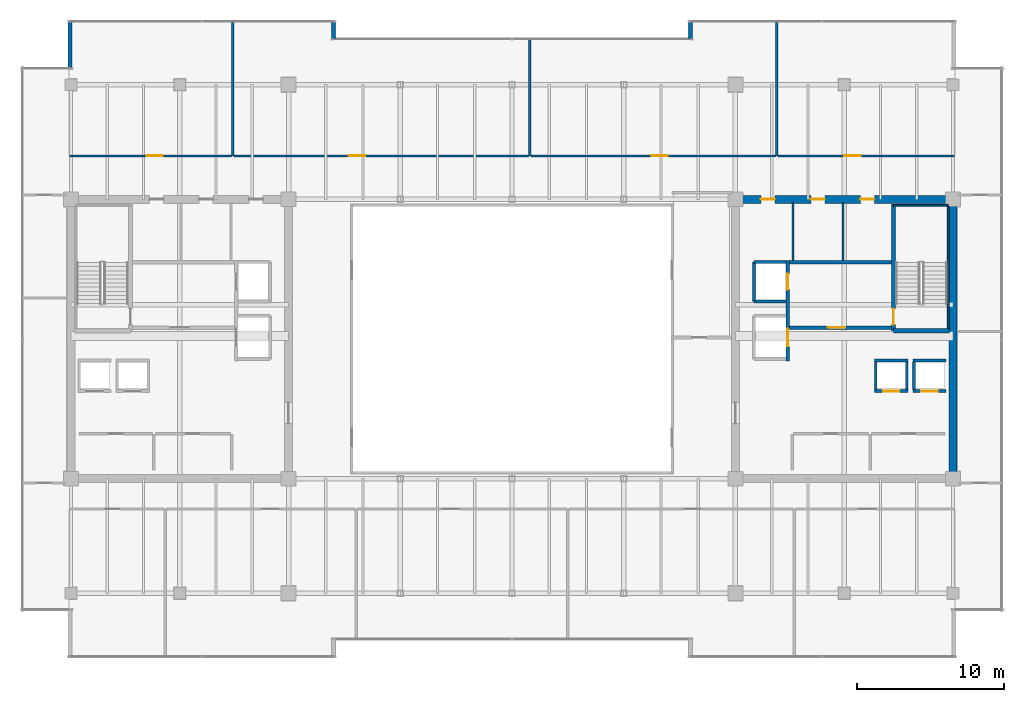
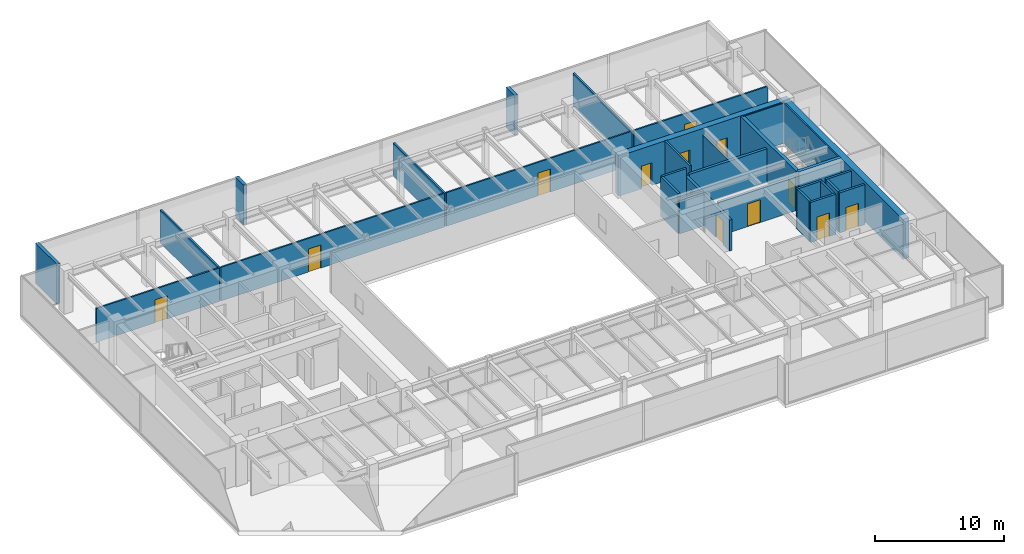
# One storey, part 30 of 35: 31 walls, 13 doors, 13 openings.
"""IFC4 building model written with IfcOpenShell, lengths in metres."""

from ifc_helpers import new_model, si_unit, direction, frame, frame_2d, origin, place, context, subcontext, project, spatial, rectangle, extrude, source, transform, mapped, material, layer, layer_set, type_object, type_shapes, element, fill, save


model = new_model("IFC4")

# Units and contexts
model_context = context("Model", 3, precision=1e-05, world=origin(), true_north=direction((0.0, 1.0)))
body_context = subcontext(model_context, "Body", "Model", "MODEL_VIEW")
ifc_project = project(units=[si_unit("LENGTHUNIT", "METRE"), si_unit("AREAUNIT", "SQUARE_METRE"), si_unit("VOLUMEUNIT", "CUBIC_METRE"), si_unit("PLANEANGLEUNIT", "RADIAN"), si_unit("MASSUNIT", "GRAM", prefix="KILO")], contexts=[model_context])

# Site, building, storey
site_placement = place(None, origin())
site = spatial("IfcSite", under=ifc_project, at=site_placement, CompositionType="ELEMENT")
building_placement = place(site_placement, origin())
building = spatial("IfcBuilding", under=site, at=building_placement, Name="Haelvirn Gate Laboratories", CompositionType="ELEMENT")
storey_placement = place(building_placement, frame((0.0, 0.0, 221.89990234375)))
storey = spatial("IfcBuildingStorey", under=building, at=storey_placement, Name="L53", CompositionType="ELEMENT", Elevation=221.89990234375)

# Walls
ifc_material_1 = material(Name="Thermally-broken bronze aluminium rainscreen & mineral wool", Category="aluminium")
ifc_layer_1 = layer(ifc_material_1, 0.280029296875, Name="EW-TERR-280")
ifc_layer_set_1 = layer_set([ifc_layer_1], Name="Thermally-broken bronze aluminium rainscreen & mineral wool")
wall_type_1 = type_object("IfcWallType", Name="EW-TERR-280", PredefinedType="STANDARD", material=ifc_layer_set_1)
for number, where, z_axis, x_axis, name in (
    (1, (49.5400390625, 46.0, 0.0), (0.0, 0.0, 1.0), (0.0, -1.0, 0.0), "L53 Atrium Recess Bronze Return Wall 11"),
    (2, (25.260009765625, 44.70703125, 0.0), (0.0, 0.0, 1.0), (0.0, 1.0, 0.0), "L53 Atrium Recess Bronze Return Wall 13"),
):
    element("IfcWall", number, at=place(storey_placement, frame(where, z_axis=z_axis, x_axis=x_axis)), inside=storey, type_object=wall_type_1, Name=name, PredefinedType="STANDARD", context=body_context, shape_type="SweptSolid", body=[
        extrude(rectangle(XDim=1.29296875, YDim=0.280029296875, at=frame_2d((0.646484375, 0.0))), origin(), (0.0, 0.0, 1.0), 3.800048828125),
    ])
wall_1_placement = place(storey_placement, frame((7.340087890625, 46.0, 0.0), z_axis=(0.0, 0.0, 1.0), x_axis=(0.0, -1.0, 0.0)))
element("IfcWall", 3, at=wall_1_placement, inside=storey, type_object=wall_type_1, Name="L53 Atrium Recess Bronze Return Wall 15", PredefinedType="STANDARD", context=body_context, shape_type="SweptSolid", body=[
    extrude(rectangle(XDim=3.2880859375, YDim=0.280029296875, at=frame_2d((1.64404296875, 0.0))), origin(), (0.0, 0.0, 1.0), 3.800048828125),
])
ifc_material_2 = material(Name="Double-layer acoustic gypsum laboratory partition", Category="gypsum")
ifc_layer_2 = layer(ifc_material_2, 0.159912109375, Name="IW-ACOUST-160")
ifc_layer_set_2 = layer_set([ifc_layer_2], Name="Double-layer acoustic gypsum laboratory partition")
wall_type_2 = type_object("IfcWallType", Name="IW-ACOUST-160", PredefinedType="PARTITIONING", material=ifc_layer_set_2)
wall_2_placement = place(storey_placement, frame((18.39990234375, 36.760009765625, 0.0), z_axis=(0.0, 0.0, 1.0), x_axis=(0.0, 1.0, 0.0)))
element("IfcWall", 4, at=wall_2_placement, inside=storey, type_object=wall_type_2, Name="L53 Interior Wall IW-L53-NDIV-01", PredefinedType="PARTITIONING", context=body_context, shape_type="SweptSolid", body=[
    extrude(rectangle(XDim=9.1298828125, YDim=0.159912109375, at=frame_2d((4.56494140625, 0.0))), origin(), (0.0, 0.0, 1.0), 3.135009765625),
])
wall_3_placement = place(storey_placement, frame((38.60009765625, 36.760009765625, 0.0), z_axis=(0.0, 0.0, 1.0), x_axis=(0.0, 1.0, 0.0)))
element("IfcWall", 5, at=wall_3_placement, inside=storey, type_object=wall_type_2, Name="L53 Interior Wall IW-L53-NDIV-02", PredefinedType="PARTITIONING", context=body_context, shape_type="SweptSolid", body=[
    extrude(rectangle(XDim=7.929931640625, YDim=0.159912109375, at=frame_2d((3.96484375, 0.0))), origin(), (0.0, 0.0, 1.0), 3.135009765625),
])
wall_4_placement = place(storey_placement, frame((55.39990234375, 36.760009765625, 0.0), z_axis=(0.0, 0.0, 1.0), x_axis=(0.0, 1.0, 0.0)))
element("IfcWall", 6, at=wall_4_placement, inside=storey, type_object=wall_type_2, Name="L53 Interior Wall IW-L53-NDIV-03", PredefinedType="PARTITIONING", context=body_context, shape_type="SweptSolid", body=[
    extrude(rectangle(XDim=9.1298828125, YDim=0.159912109375, at=frame_2d((4.56494140625, 0.0))), origin(), (0.0, 0.0, 1.0), 3.135009765625),
])

# Wall, opening, door
ifc_material_3 = material(Name="Acoustic mineral-wool gypsum board partition", Category="gypsum")
ifc_layer_3 = layer(ifc_material_3, 0.139892578125, Name="IW-PART-140")
ifc_layer_set_3 = layer_set([ifc_layer_3], Name="Acoustic mineral-wool gypsum board partition")
wall_type_3 = type_object("IfcWallType", Name="IW-PART-140", PredefinedType="PARTITIONING", material=ifc_layer_set_3)
wall_5_placement = place(storey_placement, frame((7.31005859375, 36.760009765625, 0.0), z_axis=(0.0, 0.0, 1.0), x_axis=(1.0, 0.0, 0.0)))
wall_5 = element("IfcWall", 7, at=wall_5_placement, inside=storey, type_object=wall_type_3, Name="L53 Interior Wall IW-L53-NCORR-01", PredefinedType="PARTITIONING", context=body_context, shape_type="SweptSolid", body=[
    extrude(rectangle(XDim=11.010009765625, YDim=0.139892578125, at=frame_2d((5.5048828125, 0.0))), origin(), (0.0, 0.0, 1.0), 3.197021484375),
])
opening_1_placement = place(wall_5_placement, frame((5.231201171875, 0.0, 0.0)))
opening_1 = element("IfcOpeningElement", 8, at=opening_1_placement, cuts=wall_5, Name="Opening D1", PredefinedType="OPENING", context=body_context, shape_type="SweptSolid", body=[
    extrude(rectangle(XDim=1.10009765625, YDim=2.179931640625, at=frame_2d((0.550048828125, 1.08984375))), frame((0.0, 0.080078125, 0.0), z_axis=(0.0, -1.0, 0.0), x_axis=(1.0, 0.0, 0.0)), (0.0, 0.0, 1.0), 0.159912109375),
])
ifc_material_4 = material(Name="Vision-panel acoustic solid-core timber lab door", Category="wood")
door_type_1 = type_object("IfcDoorType", Name="DR-LAB-1100", OperationType="NOTDEFINED", PredefinedType="DOOR", material=ifc_material_4)
shared_shape_1 = source(origin(), body_context, "Body", "SweptSolid", [
    extrude(rectangle(XDim=1.10009765625, YDim=2.179931640625, at=frame_2d((0.550048828125, 1.08984375))), frame((0.0, 0.02490234375, 0.0), z_axis=(0.0, -1.0, 0.0), x_axis=(1.0, 0.0, 0.0)), (0.0, 0.0, 1.0), 0.050048828125),
])
type_shapes(door_type_1, [shared_shape_1])
door_1_placement = place(opening_1_placement, origin())
door_1 = element("IfcDoor", 9, at=door_1_placement, inside=storey, type_object=door_type_1, Name="L53 Colloquium Conference Room Door N1", OperationType="SINGLE_SWING_LEFT", OverallHeight=2.179931640625, OverallWidth=1.10009765625, PredefinedType="DOOR", context=body_context, shape_type="MappedRepresentation", body=[
    mapped(shared_shape_1, transform((0.0, 0.0, 0.0), scale=1.0)),
])
fill(opening_1, door_1)

wall_6_placement = place(storey_placement, frame((18.47998046875, 36.760009765625, 0.0), z_axis=(0.0, 0.0, 1.0), x_axis=(1.0, 0.0, 0.0)))
wall_6 = element("IfcWall", 10, at=wall_6_placement, inside=storey, type_object=wall_type_3, Name="L53 Interior Wall IW-L53-NCORR-02", PredefinedType="PARTITIONING", context=body_context, shape_type="SweptSolid", body=[
    extrude(rectangle(XDim=20.0400390625, YDim=0.139892578125, at=frame_2d((10.02001953125, 0.0))), origin(), (0.0, 0.0, 1.0), 3.197021484375),
])
opening_2_placement = place(wall_6_placement, frame((7.828369140625, 0.0, 0.0)))
opening_2 = element("IfcOpeningElement", 11, at=opening_2_placement, cuts=wall_6, Name="Opening D1", PredefinedType="OPENING", context=body_context, shape_type="SweptSolid", body=[
    extrude(rectangle(XDim=1.10009765625, YDim=2.179931640625, at=frame_2d((0.550048828125, 1.08984375))), frame((0.0, 0.080078125, 0.0), z_axis=(0.0, -1.0, 0.0), x_axis=(1.0, 0.0, 0.0)), (0.0, 0.0, 1.0), 0.159912109375),
])
door_2_placement = place(opening_2_placement, origin())
door_2 = element("IfcDoor", 12, at=door_2_placement, inside=storey, type_object=door_type_1, Name="L53 Cryo-EM Imaging Suite Door N2", OperationType="SINGLE_SWING_RIGHT", OverallHeight=2.179931640625, OverallWidth=1.10009765625, PredefinedType="DOOR", context=body_context, shape_type="MappedRepresentation", body=[
    mapped(shared_shape_1, transform((0.0, 0.0, 0.0), scale=1.0)),
])
fill(opening_2, door_2)

wall_7_placement = place(storey_placement, frame((38.679931640625, 36.760009765625, 0.0), z_axis=(0.0, 0.0, 1.0), x_axis=(1.0, 0.0, 0.0)))
wall_7 = element("IfcWall", 13, at=wall_7_placement, inside=storey, type_object=wall_type_3, Name="L53 Interior Wall IW-L53-NCORR-03", PredefinedType="PARTITIONING", context=body_context, shape_type="SweptSolid", body=[
    extrude(rectangle(XDim=16.64013671875, YDim=0.139892578125, at=frame_2d((8.320068359375, 0.0))), origin(), (0.0, 0.0, 1.0), 3.197021484375),
])
opening_3_placement = place(wall_7_placement, frame((8.215087890625, 0.0, 0.0)))
opening_3 = element("IfcOpeningElement", 14, at=opening_3_placement, cuts=wall_7, Name="Opening D1", PredefinedType="OPENING", context=body_context, shape_type="SweptSolid", body=[
    extrude(rectangle(XDim=1.10009765625, YDim=2.179931640625, at=frame_2d((0.550048828125, 1.08984375))), frame((0.0, 0.080078125, 0.0), z_axis=(0.0, -1.0, 0.0), x_axis=(1.0, 0.0, 0.0)), (0.0, 0.0, 1.0), 0.159912109375),
])
door_3_placement = place(opening_3_placement, origin())
door_3 = element("IfcDoor", 15, at=door_3_placement, inside=storey, type_object=door_type_1, Name="L53 Analytical Instrument Suite Door N3", OperationType="SINGLE_SWING_LEFT", OverallHeight=2.179931640625, OverallWidth=1.10009765625, PredefinedType="DOOR", context=body_context, shape_type="MappedRepresentation", body=[
    mapped(shared_shape_1, transform((0.0, 0.0, 0.0), scale=1.0)),
])
fill(opening_3, door_3)

wall_8_placement = place(storey_placement, frame((55.47998046875, 36.760009765625, 0.0), z_axis=(0.0, 0.0, 1.0), x_axis=(1.0, 0.0, 0.0)))
wall_8 = element("IfcWall", 16, at=wall_8_placement, inside=storey, type_object=wall_type_3, Name="L53 Interior Wall IW-L53-NCORR-04", PredefinedType="PARTITIONING", context=body_context, shape_type="SweptSolid", body=[
    extrude(rectangle(XDim=12.010009765625, YDim=0.139892578125, at=frame_2d((6.0048828125, 0.0))), origin(), (0.0, 0.0, 1.0), 3.197021484375),
])
opening_4_placement = place(wall_8_placement, frame((4.5361328125, 0.0, 0.0)))
opening_4 = element("IfcOpeningElement", 17, at=opening_4_placement, cuts=wall_8, Name="Opening D1", PredefinedType="OPENING", context=body_context, shape_type="SweptSolid", body=[
    extrude(rectangle(XDim=1.10009765625, YDim=2.179931640625, at=frame_2d((0.550048828125, 1.08984375))), frame((0.0, 0.080078125, 0.0), z_axis=(0.0, -1.0, 0.0), x_axis=(1.0, 0.0, 0.0)), (0.0, 0.0, 1.0), 0.159912109375),
])
door_4_placement = place(opening_4_placement, origin())
door_4 = element("IfcDoor", 18, at=door_4_placement, inside=storey, type_object=door_type_1, Name="L53 Cleanroom Metrology Suite Door N4", OperationType="SINGLE_SWING_RIGHT", OverallHeight=2.179931640625, OverallWidth=1.10009765625, PredefinedType="DOOR", context=body_context, shape_type="MappedRepresentation", body=[
    mapped(shared_shape_1, transform((0.0, 0.0, 0.0), scale=1.0)),
])
fill(opening_4, door_4)

# Walls
ifc_material_5 = material(Name="Cement-board restroom plumbing chase wall", Category="gypsum")
ifc_layer_4 = layer(ifc_material_5, 0.155029296875, Name="IW-PLUMB-160")
ifc_layer_set_4 = layer_set([ifc_layer_4], Name="Cement-board restroom plumbing chase wall")
wall_type_4 = type_object("IfcWallType", Name="IW-PLUMB-160", PredefinedType="PLUMBINGWALL", material=ifc_layer_set_4)
wall_9_placement = place(storey_placement, frame((59.909912109375, 29.64990234375, 0.0), z_axis=(0.0, 0.0, 1.0), x_axis=(0.0, 1.0, 0.0)))
element("IfcWall", 19, at=wall_9_placement, inside=storey, type_object=wall_type_4, Name="L53 Interior Wall IW-L53-E-CDIV-1", PredefinedType="PLUMBINGWALL", context=body_context, shape_type="SweptSolid", body=[
    extrude(rectangle(XDim=3.93017578125, YDim=0.155029296875, at=frame_2d((1.965087890625, 0.0))), origin(), (0.0, 0.0, 1.0), 3.197021484375),
])
wall_10_placement = place(storey_placement, frame((56.510009765625, 29.64990234375, 0.0), z_axis=(0.0, 0.0, 1.0), x_axis=(0.0, 1.0, 0.0)))
element("IfcWall", 20, at=wall_10_placement, inside=storey, type_object=wall_type_4, Name="L53 Interior Wall IW-L53-E-CDIV-2", PredefinedType="PLUMBINGWALL", context=body_context, shape_type="SweptSolid", body=[
    extrude(rectangle(XDim=3.93017578125, YDim=0.155029296875, at=frame_2d((1.965087890625, 0.0))), origin(), (0.0, 0.0, 1.0), 3.800048828125),
])
ifc_material_6 = material(Name="Concrete C40/50", Category="concrete")
ifc_layer_5 = layer(ifc_material_6, 0.179931640625, Name="IW-SHAFT-180")
ifc_layer_set_5 = layer_set([ifc_layer_5], Name="Concrete C40/50")
wall_type_5 = type_object("IfcWallType", Name="IW-SHAFT-180", PredefinedType="SOLIDWALL", material=ifc_layer_set_5)
for number, where, z_axis, x_axis, name in (
    (21, (64.75, 20.85009765625, 0.0), (0.0, 0.0, 1.0), (0.0, 1.0, 0.0), "L53 Interior Wall IW-L53-PL11-SD"),
    (22, (62.14990234375, 20.85009765625, 0.0), (0.0, 0.0, 1.0), (0.0, 1.0, 0.0), "L53 Interior Wall IW-L53-PL12-SD"),
    (23, (64.25, 20.85009765625, 0.0), (0.0, 0.0, 1.0), (0.0, 1.0, 0.0), "L53 Interior Wall IW-L53-PL12-SDE"),
):
    element("IfcWall", number, at=place(storey_placement, frame(where, z_axis=z_axis, x_axis=x_axis)), inside=storey, type_object=wall_type_5, Name=name, PredefinedType="SOLIDWALL", context=body_context, shape_type="SweptSolid", body=[
        extrude(rectangle(XDim=1.89990234375, YDim=0.179931640625, at=frame_2d((0.949951171875, 0.0))), origin(), (0.0, 0.0, 1.0), 3.800048828125),
    ])

# Wall, opening, door
ifc_layer_6 = layer(ifc_material_6, 0.199951171875, Name="IW-SHAFT-200")
ifc_layer_set_6 = layer_set([ifc_layer_6], Name="Concrete C40/50")
wall_type_6 = type_object("IfcWallType", Name="IW-SHAFT-200", PredefinedType="SOLIDWALL", material=ifc_layer_set_6)
wall_11_placement = place(storey_placement, frame((64.669921875, 20.75, 0.0), z_axis=(0.0, 0.0, 1.0), x_axis=(1.0, 0.0, 0.0)))
wall_11 = element("IfcWall", 24, at=wall_11_placement, inside=storey, type_object=wall_type_6, Name="L53 Interior Wall IW-L53-PL11-FR", PredefinedType="SOLIDWALL", context=body_context, shape_type="SweptSolid", body=[
    extrude(rectangle(XDim=2.260009765625, YDim=0.199951171875, at=frame_2d((1.1298828125, 0.0))), origin(), (0.0, 0.0, 1.0), 3.800048828125),
])
opening_5_placement = place(wall_11_placement, frame((0.580078125, 0.0, 0.0)))
opening_5 = element("IfcOpeningElement", 25, at=opening_5_placement, cuts=wall_11, Name="Opening LD2", PredefinedType="OPENING", context=body_context, shape_type="SweptSolid", body=[
    extrude(rectangle(XDim=1.10009765625, YDim=2.219970703125, at=frame_2d((0.550048828125, 1.10986328125))), frame((0.0, 0.10986328125, 0.0), z_axis=(0.0, -1.0, 0.0), x_axis=(1.0, 0.0, 0.0)), (0.0, 0.0, 1.0), 0.219970703125),
])
ifc_material_7 = material(Name="Bronze stainless 316L sliding lift landing door")
door_type_2 = type_object("IfcDoorType", Name="DR-LD-1100", OperationType="NOTDEFINED", PredefinedType="USERDEFINED", material=ifc_material_7)
shared_shape_2 = source(origin(), body_context, "Body", "SweptSolid", [
    extrude(rectangle(XDim=1.10009765625, YDim=2.219970703125, at=frame_2d((0.550048828125, 1.10986328125))), frame((0.0, 0.02490234375, 0.0), z_axis=(0.0, -1.0, 0.0), x_axis=(1.0, 0.0, 0.0)), (0.0, 0.0, 1.0), 0.050048828125),
])
type_shapes(door_type_2, [shared_shape_2])
door_5_placement = place(opening_5_placement, origin())
door_5 = element("IfcDoor", 26, at=door_5_placement, inside=storey, type_object=door_type_2, Name="L53 Passenger Lift PL11 Landing Door", ObjectType="LANDING_DOOR", OperationType="SLIDING_TO_LEFT", OverallHeight=2.219970703125, OverallWidth=1.10009765625, PredefinedType="USERDEFINED", context=body_context, shape_type="MappedRepresentation", body=[
    mapped(shared_shape_2, transform((0.0, 0.0, 0.0), scale=1.0)),
])
fill(opening_5, door_5)

# Wall
wall_12_placement = place(storey_placement, frame((64.669921875, 22.85009765625, 0.0), z_axis=(0.0, 0.0, 1.0), x_axis=(1.0, 0.0, 0.0)))
element("IfcWall", 27, at=wall_12_placement, inside=storey, type_object=wall_type_6, Name="L53 Interior Wall IW-L53-PL11-BK", PredefinedType="SOLIDWALL", context=body_context, shape_type="SweptSolid", body=[
    extrude(rectangle(XDim=2.260009765625, YDim=0.199951171875, at=frame_2d((1.1298828125, 0.0))), origin(), (0.0, 0.0, 1.0), 3.800048828125),
])

# Wall, opening, door
wall_13_placement = place(storey_placement, frame((62.070068359375, 20.75, 0.0), z_axis=(0.0, 0.0, 1.0), x_axis=(1.0, 0.0, 0.0)))
wall_13 = element("IfcWall", 28, at=wall_13_placement, inside=storey, type_object=wall_type_6, Name="L53 Interior Wall IW-L53-PL12-FR", PredefinedType="SOLIDWALL", context=body_context, shape_type="SweptSolid", body=[
    extrude(rectangle(XDim=2.260009765625, YDim=0.199951171875, at=frame_2d((1.1298828125, 0.0))), origin(), (0.0, 0.0, 1.0), 3.800048828125),
])
opening_6_placement = place(wall_13_placement, frame((0.580078125, 0.0, 0.0)))
opening_6 = element("IfcOpeningElement", 29, at=opening_6_placement, cuts=wall_13, Name="Opening LD2", PredefinedType="OPENING", context=body_context, shape_type="SweptSolid", body=[
    extrude(rectangle(XDim=1.10009765625, YDim=2.219970703125, at=frame_2d((0.550048828125, 1.10986328125))), frame((0.0, 0.10986328125, 0.0), z_axis=(0.0, -1.0, 0.0), x_axis=(1.0, 0.0, 0.0)), (0.0, 0.0, 1.0), 0.219970703125),
])
door_6_placement = place(opening_6_placement, origin())
door_6 = element("IfcDoor", 30, at=door_6_placement, inside=storey, type_object=door_type_2, Name="L53 Passenger Lift PL12 Landing Door", ObjectType="LANDING_DOOR", OperationType="SLIDING_TO_RIGHT", OverallHeight=2.219970703125, OverallWidth=1.10009765625, PredefinedType="USERDEFINED", context=body_context, shape_type="MappedRepresentation", body=[
    mapped(shared_shape_2, transform((0.0, 0.0, 0.0), scale=1.0)),
])
fill(opening_6, door_6)

# Walls
wall_14_placement = place(storey_placement, frame((62.070068359375, 22.85009765625, 0.0), z_axis=(0.0, 0.0, 1.0), x_axis=(1.0, 0.0, 0.0)))
element("IfcWall", 31, at=wall_14_placement, inside=storey, type_object=wall_type_6, Name="L53 Interior Wall IW-L53-PL12-BK", PredefinedType="SOLIDWALL", context=body_context, shape_type="SweptSolid", body=[
    extrude(rectangle(XDim=2.260009765625, YDim=0.199951171875, at=frame_2d((1.1298828125, 0.0))), origin(), (0.0, 0.0, 1.0), 3.800048828125),
])
wall_15_placement = place(storey_placement, frame((53.85009765625, 26.85009765625, 0.0), z_axis=(0.0, 0.0, 1.0), x_axis=(0.0, 1.0, 0.0)))
element("IfcWall", 32, at=wall_15_placement, inside=storey, type_object=wall_type_6, Name="L53 Interior Wall IW-L53-FL2-BK", PredefinedType="SOLIDWALL", context=body_context, shape_type="SweptSolid", body=[
    extrude(rectangle(XDim=2.699951171875, YDim=0.199951171875, at=frame_2d((1.35009765625, 0.0))), origin(), (0.0, 0.0, 1.0), 3.800048828125),
])
wall_16_placement = place(storey_placement, frame((53.85009765625, 29.550048828125, 0.0), z_axis=(0.0, 0.0, 1.0), x_axis=(1.0, 0.0, 0.0)))
element("IfcWall", 33, at=wall_16_placement, inside=storey, type_object=wall_type_6, Name="L53 Interior Wall IW-L53-FL2-N", PredefinedType="SOLIDWALL", context=body_context, shape_type="SweptSolid", body=[
    extrude(rectangle(XDim=2.18994140625, YDim=0.199951171875, at=frame_2d((1.094970703125, 0.0))), origin(), (0.0, 0.0, 1.0), 3.800048828125),
])
wall_17_placement = place(storey_placement, frame((53.85009765625, 26.85009765625, 0.0), z_axis=(0.0, 0.0, 1.0), x_axis=(1.0, 0.0, 0.0)))
element("IfcWall", 34, at=wall_17_placement, inside=storey, type_object=wall_type_6, Name="L53 Interior Wall IW-L53-FL2-S", PredefinedType="SOLIDWALL", context=body_context, shape_type="SweptSolid", body=[
    extrude(rectangle(XDim=2.18994140625, YDim=0.199951171875, at=frame_2d((1.094970703125, 0.0))), origin(), (0.0, 0.0, 1.0), 3.197021484375),
])

# Wall, opening, door
ifc_layer_7 = layer(ifc_material_6, 0.239990234375, Name="IW-SHAFT-240")
ifc_layer_set_7 = layer_set([ifc_layer_7], Name="Concrete C40/50")
wall_type_7 = type_object("IfcWallType", Name="IW-SHAFT-240", PredefinedType="SOLIDWALL", material=ifc_layer_set_7)
wall_18_placement = place(storey_placement, frame((56.280029296875, 25.080078125, 0.0), z_axis=(0.0, 0.0, 1.0), x_axis=(1.0, 0.0, 0.0)))
wall_18 = element("IfcWall", 35, at=wall_18_placement, inside=storey, type_object=wall_type_7, Name="L53 Interior Wall IW-L53-E-FF-S", PredefinedType="SOLIDWALL", context=body_context, shape_type="SweptSolid", body=[
    extrude(rectangle(XDim=6.919921875, YDim=0.239990234375, at=frame_2d((3.4599609375, 0.0))), origin(), (0.0, 0.0, 1.0), 3.197021484375),
])
opening_7_placement = place(wall_18_placement, frame((2.60009765625, 0.0, 0.0)))
opening_7 = element("IfcOpeningElement", 36, at=opening_7_placement, cuts=wall_18, Name="Opening FD2", PredefinedType="OPENING", context=body_context, shape_type="SweptSolid", body=[
    extrude(rectangle(XDim=1.199951171875, YDim=2.159912109375, at=frame_2d((0.60009765625, 1.080078125))), frame((0.0, 0.1298828125, 0.0), z_axis=(0.0, -1.0, 0.0), x_axis=(1.0, 0.0, 0.0)), (0.0, 0.0, 1.0), 0.260009765625),
])
ifc_material_8 = material(Name="Fire-rated steel SM355 compartment door", Category="steel")
door_type_3 = type_object("IfcDoorType", Name="DR-FD-1200", OperationType="NOTDEFINED", PredefinedType="DOOR", material=ifc_material_8)
shared_shape_3 = source(origin(), body_context, "Body", "SweptSolid", [
    extrude(rectangle(XDim=1.199951171875, YDim=2.159912109375, at=frame_2d((0.60009765625, 1.080078125))), frame((0.0, 0.02490234375, 0.0), z_axis=(0.0, -1.0, 0.0), x_axis=(1.0, 0.0, 0.0)), (0.0, 0.0, 1.0), 0.050048828125),
])
type_shapes(door_type_3, [shared_shape_3])
door_7_placement = place(opening_7_placement, origin())
door_7 = element("IfcDoor", 37, at=door_7_placement, inside=storey, type_object=door_type_3, Name="L53 East Firefighting Lobby Door", OperationType="SINGLE_SWING_LEFT", OverallHeight=2.159912109375, OverallWidth=1.199951171875, PredefinedType="DOOR", context=body_context, shape_type="MappedRepresentation", body=[
    mapped(shared_shape_3, transform((0.0, 0.0, 0.0), scale=1.0)),
])
fill(opening_7, door_7)

# Wall
wall_19_placement = place(storey_placement, frame((56.280029296875, 29.52001953125, 0.0), z_axis=(0.0, 0.0, 1.0), x_axis=(1.0, 0.0, 0.0)))
element("IfcWall", 38, at=wall_19_placement, inside=storey, type_object=wall_type_7, Name="L53 Interior Wall IW-L53-E-FF-N", PredefinedType="SOLIDWALL", context=body_context, shape_type="SweptSolid", body=[
    extrude(rectangle(XDim=6.919921875, YDim=0.239990234375, at=frame_2d((3.4599609375, 0.0))), origin(), (0.0, 0.0, 1.0), 3.197021484375),
])

# Wall, openings, doors
wall_20_placement = place(storey_placement, frame((56.159912109375, 22.800048828125, 0.0), z_axis=(0.0, 0.0, 1.0), x_axis=(0.0, 1.0, 0.0)))
wall_20 = element("IfcWall", 39, at=wall_20_placement, inside=storey, type_object=wall_type_7, Name="L53 Interior Wall IW-L53-E-FF-E", PredefinedType="SOLIDWALL", context=body_context, shape_type="SweptSolid", body=[
    extrude(rectangle(XDim=6.849853515625, YDim=0.239990234375, at=frame_2d((3.4248046875, 0.0))), origin(), (0.0, 0.0, 1.0), 2.93505859375),
])
opening_8_placement = place(wall_20_placement, frame((4.85009765625, 0.0, 0.0)))
opening_8 = element("IfcOpeningElement", 40, at=opening_8_placement, cuts=wall_20, Name="Opening LD2", PredefinedType="OPENING", context=body_context, shape_type="SweptSolid", body=[
    extrude(rectangle(XDim=1.10009765625, YDim=2.219970703125, at=frame_2d((0.550048828125, 1.10986328125))), frame((0.0, 0.1298828125, 0.0), z_axis=(0.0, -1.0, 0.0), x_axis=(1.0, 0.0, 0.0)), (0.0, 0.0, 1.0), 0.260009765625),
])
opening_9_placement = place(wall_20_placement, frame((1.0, 0.0, 0.0)))
opening_9 = element("IfcOpeningElement", 41, at=opening_9_placement, cuts=wall_20, Name="Opening LD1", PredefinedType="OPENING", context=body_context, shape_type="SweptSolid", body=[
    extrude(rectangle(XDim=1.199951171875, YDim=2.219970703125, at=frame_2d((0.60009765625, 1.10986328125))), frame((0.0, 0.1298828125, 0.0), z_axis=(0.0, -1.0, 0.0), x_axis=(1.0, 0.0, 0.0)), (0.0, 0.0, 1.0), 0.260009765625),
])
door_8_placement = place(opening_8_placement, origin())
door_8 = element("IfcDoor", 42, at=door_8_placement, inside=storey, type_object=door_type_2, Name="L53 Firefighting Lift FL2 Landing Door", ObjectType="LANDING_DOOR", OperationType="SLIDING_TO_RIGHT", OverallHeight=2.219970703125, OverallWidth=1.10009765625, PredefinedType="USERDEFINED", context=body_context, shape_type="MappedRepresentation", body=[
    mapped(shared_shape_2, transform((0.0, 0.0, 0.0), scale=1.0)),
])
fill(opening_8, door_8)
ifc_material_9 = material(Name="Stainless steel 316L sliding goods landing door", Category="steel")
door_type_4 = type_object("IfcDoorType", Name="DR-LD-1200", OperationType="NOTDEFINED", PredefinedType="USERDEFINED", material=ifc_material_9)
shared_shape_4 = source(origin(), body_context, "Body", "SweptSolid", [
    extrude(rectangle(XDim=1.199951171875, YDim=2.219970703125, at=frame_2d((0.60009765625, 1.10986328125))), frame((0.0, 0.02490234375, 0.0), z_axis=(0.0, -1.0, 0.0), x_axis=(1.0, 0.0, 0.0)), (0.0, 0.0, 1.0), 0.050048828125),
])
type_shapes(door_type_4, [shared_shape_4])
door_9_placement = place(opening_9_placement, origin())
door_9 = element("IfcDoor", 43, at=door_9_placement, inside=storey, type_object=door_type_4, Name="L53 Service Lift SL2 Landing Door", ObjectType="LANDING_DOOR", OperationType="SLIDING_TO_LEFT", OverallHeight=2.219970703125, OverallWidth=1.199951171875, PredefinedType="USERDEFINED", context=body_context, shape_type="MappedRepresentation", body=[
    mapped(shared_shape_4, transform((0.0, 0.0, 0.0), scale=1.0)),
])
fill(opening_9, door_9)

ifc_material_10 = material(Name="Concrete C50/60", Category="concrete")
ifc_layer_8 = layer(ifc_material_10, 0.550048828125, Name="SW-CORE-550")
ifc_layer_set_8 = layer_set([ifc_layer_8], Name="Concrete C50/60")
wall_type_8 = type_object("IfcWallType", Name="SW-CORE-550", PredefinedType="SHEAR", material=ifc_layer_set_8)
wall_21_placement = place(storey_placement, frame((52.324951171875, 33.800048828125, 0.0), z_axis=(0.0, 0.0, 1.0), x_axis=(1.0, 0.0, 0.0)))
wall_21 = element("IfcWall", 44, at=wall_21_placement, inside=storey, type_object=wall_type_8, Name="L53 E Core Shear Wall N", PredefinedType="SHEAR", context=body_context, shape_type="SweptSolid", body=[
    extrude(rectangle(XDim=15.35009765625, YDim=0.550048828125, at=frame_2d((7.675048828125, 0.0))), origin(), (0.0, 0.0, 1.0), 3.800048828125),
])
opening_10_placement = place(wall_21_placement, frame((8.77490234375, 0.0, 0.0)))
opening_10 = element("IfcOpeningElement", 45, at=opening_10_placement, cuts=wall_21, Name="Opening FD4", PredefinedType="OPENING", context=body_context, shape_type="SweptSolid", body=[
    extrude(rectangle(XDim=0.949951171875, YDim=2.14990234375, at=frame_2d((0.47509765625, 1.074951171875))), frame((0.0, 0.28515625, 0.0), z_axis=(0.0, -1.0, 0.0), x_axis=(1.0, 0.0, 0.0)), (0.0, 0.0, 1.0), 0.570068359375),
])
opening_11_placement = place(wall_21_placement, frame((5.409912109375, 0.0, 0.0)))
opening_11 = element("IfcOpeningElement", 46, at=opening_11_placement, cuts=wall_21, Name="Opening FD4", PredefinedType="OPENING", context=body_context, shape_type="SweptSolid", body=[
    extrude(rectangle(XDim=0.949951171875, YDim=2.14990234375, at=frame_2d((0.47509765625, 1.074951171875))), frame((0.0, 0.28515625, 0.0), z_axis=(0.0, -1.0, 0.0), x_axis=(1.0, 0.0, 0.0)), (0.0, 0.0, 1.0), 0.570068359375),
])
opening_12_placement = place(wall_21_placement, frame((2.010009765625, 0.0, 0.0)))
opening_12 = element("IfcOpeningElement", 47, at=opening_12_placement, cuts=wall_21, Name="Opening FD4", PredefinedType="OPENING", context=body_context, shape_type="SweptSolid", body=[
    extrude(rectangle(XDim=0.949951171875, YDim=2.14990234375, at=frame_2d((0.47509765625, 1.074951171875))), frame((0.0, 0.28515625, 0.0), z_axis=(0.0, -1.0, 0.0), x_axis=(1.0, 0.0, 0.0)), (0.0, 0.0, 1.0), 0.570068359375),
])
ifc_material_11 = material(Name="Fire-rated steel SM355 core service door", Category="steel")
door_type_5 = type_object("IfcDoorType", Name="DR-FD-950", OperationType="NOTDEFINED", PredefinedType="DOOR", material=ifc_material_11)
shared_shape_5 = source(origin(), body_context, "Body", "SweptSolid", [
    extrude(rectangle(XDim=0.949951171875, YDim=2.14990234375, at=frame_2d((0.47509765625, 1.074951171875))), frame((0.0, 0.02490234375, 0.0), z_axis=(0.0, -1.0, 0.0), x_axis=(1.0, 0.0, 0.0)), (0.0, 0.0, 1.0), 0.050048828125),
])
type_shapes(door_type_5, [shared_shape_5])
door_10_placement = place(opening_10_placement, origin())
door_10 = element("IfcDoor", 48, at=door_10_placement, inside=storey, type_object=door_type_5, Name="L53 Male Restroom Fire Door", OperationType="SINGLE_SWING_RIGHT", OverallHeight=2.14990234375, OverallWidth=0.949951171875, PredefinedType="DOOR", context=body_context, shape_type="MappedRepresentation", body=[
    mapped(shared_shape_5, transform((0.0, 0.0, 0.0), scale=1.0)),
])
fill(opening_10, door_10)
door_11_placement = place(opening_11_placement, origin())
door_11 = element("IfcDoor", 49, at=door_11_placement, inside=storey, type_object=door_type_5, Name="L53 Female Restroom Fire Door", OperationType="SINGLE_SWING_LEFT", OverallHeight=2.14990234375, OverallWidth=0.949951171875, PredefinedType="DOOR", context=body_context, shape_type="MappedRepresentation", body=[
    mapped(shared_shape_5, transform((0.0, 0.0, 0.0), scale=1.0)),
])
fill(opening_11, door_11)
door_12_placement = place(opening_12_placement, origin())
door_12 = element("IfcDoor", 50, at=door_12_placement, inside=storey, type_object=door_type_5, Name="L53 Accessible Restroom Fire Door", OperationType="SINGLE_SWING_RIGHT", OverallHeight=2.14990234375, OverallWidth=0.949951171875, PredefinedType="DOOR", context=body_context, shape_type="MappedRepresentation", body=[
    mapped(shared_shape_5, transform((0.0, 0.0, 0.0), scale=1.0)),
])
fill(opening_12, door_12)

# Walls
wall_22_placement = place(storey_placement, frame((67.39990234375, 15.074951171875, 0.0), z_axis=(0.0, 0.0, 1.0), x_axis=(0.0, 1.0, 0.0)))
element("IfcWall", 51, at=wall_22_placement, inside=storey, type_object=wall_type_8, Name="L53 E Core Shear Wall E", PredefinedType="SHEAR", context=body_context, shape_type="SweptSolid", body=[
    extrude(rectangle(XDim=18.449951171875, YDim=0.550048828125, at=frame_2d((9.22509765625, 0.0))), origin(), (0.0, 0.0, 1.0), 3.800048828125),
])
ifc_layer_9 = layer(ifc_material_10, 0.1201171875, Name="SW-LINER-120")
ifc_layer_set_9 = layer_set([ifc_layer_9], Name="Concrete C50/60")
wall_type_9 = type_object("IfcWallType", Name="SW-LINER-120", PredefinedType="SOLIDWALL", material=ifc_layer_set_9)
wall_23_placement = place(storey_placement, frame((63.35009765625, 33.39990234375, 0.0), z_axis=(0.0, 0.0, 1.0), x_axis=(1.0, 0.0, 0.0)))
element("IfcWall", 52, at=wall_23_placement, inside=storey, type_object=wall_type_9, Name="L53 E Core Stair Shaft Liner Wall N", PredefinedType="SOLIDWALL", context=body_context, shape_type="SweptSolid", body=[
    extrude(rectangle(XDim=3.719970703125, YDim=0.1201171875, at=frame_2d((1.85986328125, 0.0))), origin(), (0.0, 0.0, 1.0), 3.800048828125),
])
wall_24_placement = place(storey_placement, frame((67.070068359375, 25.0, 0.0), z_axis=(0.0, 0.0, 1.0), x_axis=(0.0, 1.0, 0.0)))
element("IfcWall", 53, at=wall_24_placement, inside=storey, type_object=wall_type_9, Name="L53 E Core Stair Shaft Liner Wall OUT", PredefinedType="SOLIDWALL", context=body_context, shape_type="SweptSolid", body=[
    extrude(rectangle(XDim=8.320068359375, YDim=0.1201171875, at=frame_2d((4.16015625, 0.0))), origin(), (0.0, 0.0, 1.0), 3.800048828125),
])

# Wall, opening, door
ifc_layer_10 = layer(ifc_material_10, 0.300048828125, Name="SW-STAIR-300")
ifc_layer_set_10 = layer_set([ifc_layer_10], Name="Concrete C50/60")
wall_type_10 = type_object("IfcWallType", Name="SW-STAIR-300", PredefinedType="SHEAR", material=ifc_layer_set_10)
wall_25_placement = place(storey_placement, frame((63.35009765625, 24.85009765625, 0.0), z_axis=(0.0, 0.0, 1.0), x_axis=(0.0, 1.0, 0.0)))
wall_25 = element("IfcWall", 54, at=wall_25_placement, inside=storey, type_object=wall_type_10, Name="L53 E Core Stair Shaft Structural Wall IN", PredefinedType="SHEAR", context=body_context, shape_type="SweptSolid", body=[
    extrude(rectangle(XDim=8.6298828125, YDim=0.300048828125, at=frame_2d((4.31494140625, 0.0))), origin(), (0.0, 0.0, 1.0), 3.800048828125),
])
opening_13_placement = place(wall_25_placement, frame((0.419921875, 0.0, 0.0)))
opening_13 = element("IfcOpeningElement", 55, at=opening_13_placement, cuts=wall_25, Name="Opening FD3", PredefinedType="OPENING", context=body_context, shape_type="SweptSolid", body=[
    extrude(rectangle(XDim=1.10009765625, YDim=2.14990234375, at=frame_2d((0.550048828125, 1.074951171875))), frame((0.0, 0.16015625, 0.0), z_axis=(0.0, -1.0, 0.0), x_axis=(1.0, 0.0, 0.0)), (0.0, 0.0, 1.0), 0.320068359375),
])
ifc_material_12 = material(Name="Fire-rated steel SM355 escape stair door", Category="steel")
door_type_6 = type_object("IfcDoorType", Name="DR-FD-1100", OperationType="NOTDEFINED", PredefinedType="DOOR", material=ifc_material_12)
shared_shape_6 = source(origin(), body_context, "Body", "SweptSolid", [
    extrude(rectangle(XDim=1.10009765625, YDim=2.14990234375, at=frame_2d((0.550048828125, 1.074951171875))), frame((0.0, 0.02490234375, 0.0), z_axis=(0.0, -1.0, 0.0), x_axis=(1.0, 0.0, 0.0)), (0.0, 0.0, 1.0), 0.050048828125),
])
type_shapes(door_type_6, [shared_shape_6])
door_13_placement = place(opening_13_placement, origin())
door_13 = element("IfcDoor", 56, at=door_13_placement, inside=storey, type_object=door_type_6, Name="L53 Escape Stair ST2 Fire Door", OperationType="SINGLE_SWING_RIGHT", OverallHeight=2.14990234375, OverallWidth=1.10009765625, PredefinedType="DOOR", context=body_context, shape_type="MappedRepresentation", body=[
    mapped(shared_shape_6, transform((0.0, 0.0, 0.0), scale=1.0)),
])
fill(opening_13, door_13)

# Wall
wall_26_placement = place(storey_placement, frame((63.35009765625, 24.85009765625, 0.0), z_axis=(0.0, 0.0, 1.0), x_axis=(1.0, 0.0, 0.0)))
element("IfcWall", 57, at=wall_26_placement, inside=storey, type_object=wall_type_10, Name="L53 E Core Stair Shaft Structural Wall S", PredefinedType="SHEAR", context=body_context, shape_type="SweptSolid", body=[
    extrude(rectangle(XDim=3.7998046875, YDim=0.300048828125, at=frame_2d((1.89990234375, 0.0))), origin(), (0.0, 0.0, 1.0), 3.800048828125),
])

save(model, "model.ifc")
